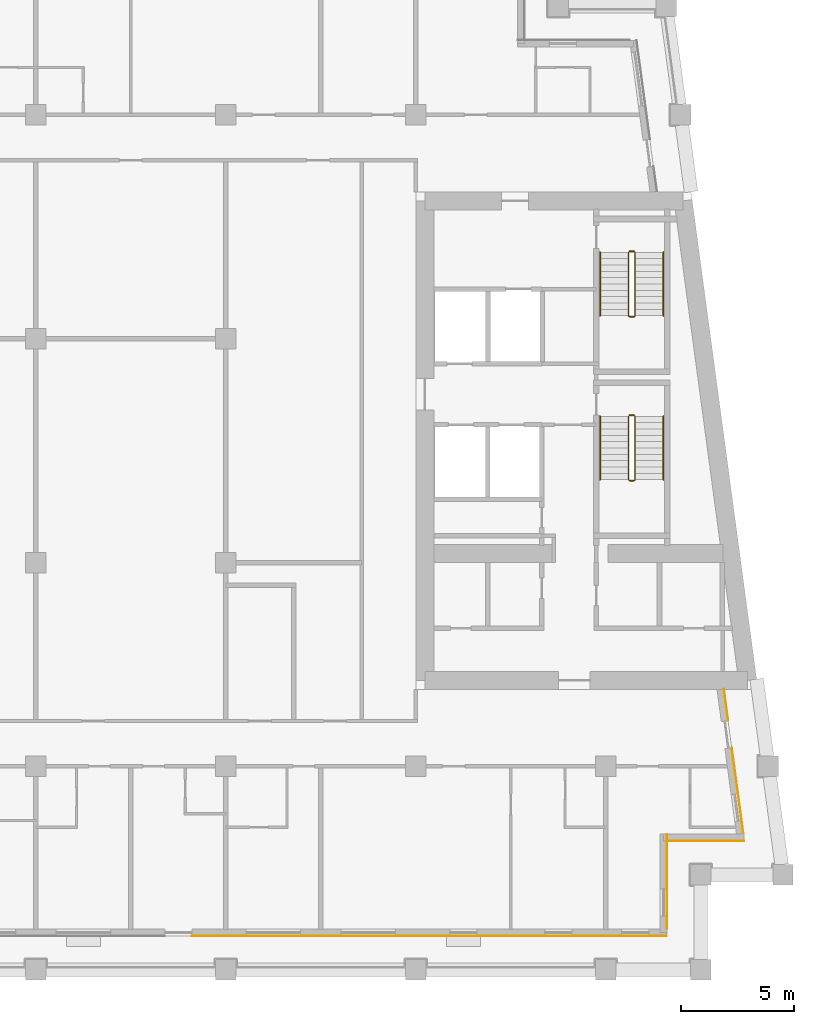
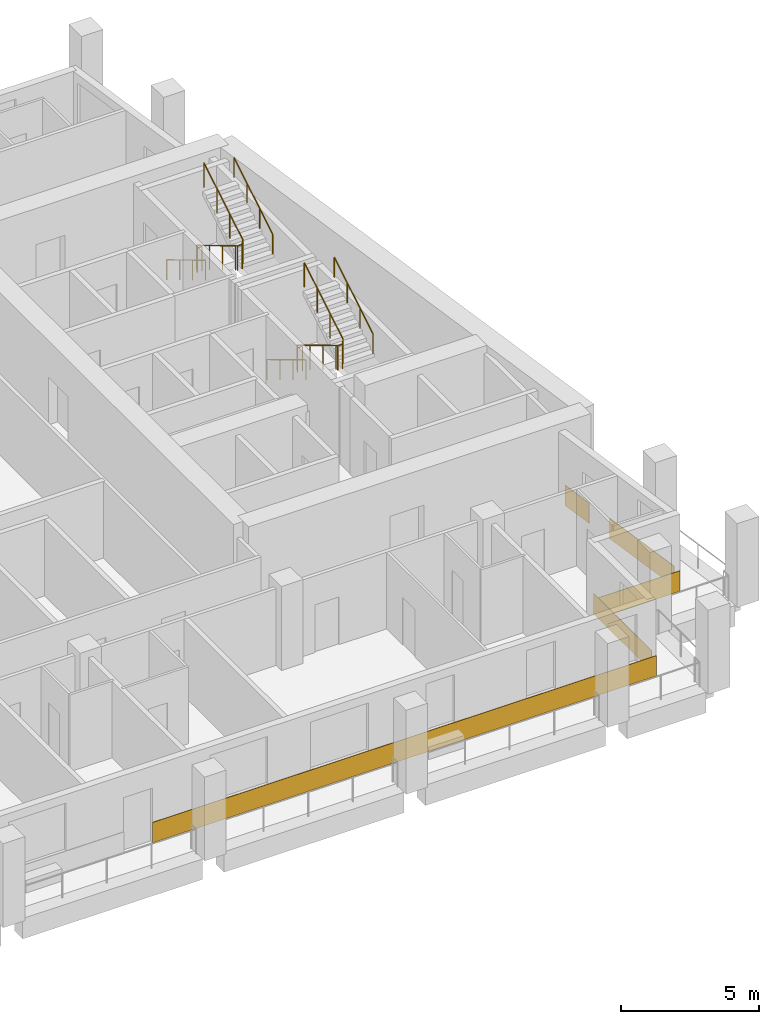
# One storey, part 11 of 13: 8 railings, 5 coverings.
"""IFC4 building model written with IfcOpenShell, lengths in metres."""

from ifc_helpers import new_model, si_unit, direction, frame, origin, origin_2d, place, context, subcontext, project, spatial, rectangle, circle, extrude, material, layer, layer_set, type_object, element, save


model = new_model("IFC4")

# Units and contexts
model_context = context("Model", 3, precision=1e-05, world=origin(), true_north=direction((0.0, 1.0)))
body_context = subcontext(model_context, "Body", "Model", "MODEL_VIEW")
ifc_project = project(units=[si_unit("LENGTHUNIT", "METRE"), si_unit("AREAUNIT", "SQUARE_METRE"), si_unit("VOLUMEUNIT", "CUBIC_METRE"), si_unit("PLANEANGLEUNIT", "RADIAN"), si_unit("MASSUNIT", "GRAM", prefix="KILO")], contexts=[model_context])

# Site, building, storey
site_placement = place(None, origin())
site = spatial("IfcSite", under=ifc_project, at=site_placement, CompositionType="ELEMENT")
building_placement = place(site_placement, origin())
building = spatial("IfcBuilding", under=site, at=building_placement, Name="Candeia Pilgrim Tower and Theatre", CompositionType="ELEMENT")
storey_placement = place(building_placement, frame((0.0, 0.0, 239.199951171875)))
storey = spatial("IfcBuildingStorey", under=building, at=storey_placement, Name="L58", CompositionType="ELEMENT", Elevation=239.199951171875)

# Coverings
ifc_material_1 = material(Name="Glazed ceramic tile bottle green")
ifc_layer_1 = layer(ifc_material_1, 0.02001953125)
ifc_layer_set_1 = layer_set([ifc_layer_1], Name="Glazed ceramic tile bottle green")
covering_type_1 = type_object("IfcCoveringType", Name="Glazed ceramic tile bottle green", PredefinedType="CLADDING", material=ifc_layer_set_1)
covering_1_placement = place(storey_placement, frame((126.60009765625, 99.489990234375, 0.0), z_axis=(0.0, 0.0, 1.0), x_axis=(1.0, 0.0, 0.0)))
element("IfcCovering", 1, at=covering_1_placement, inside=storey, type_object=covering_type_1, Name="Tile cladding bottle green L58", PredefinedType="CLADDING", context=body_context, shape_type="SweptSolid", body=[
    extrude(rectangle(XDim=21.0, YDim=0.02001953125, at=origin_2d()), origin(), (0.0, 0.0, 1.0), 0.89990234375),
])
covering_2_placement = place(storey_placement, frame((138.819580078125, 103.68994140625, 0.0), z_axis=(0.0, 0.0, 1.0), x_axis=(1.0, 0.0, 0.0)))
element("IfcCovering", 2, at=covering_2_placement, inside=storey, type_object=covering_type_1, Name="Tile cladding bottle green L58", PredefinedType="CLADDING", context=body_context, shape_type="SweptSolid", body=[
    extrude(rectangle(XDim=3.399169921875, YDim=0.02001953125, at=origin_2d()), origin(), (0.0, 0.0, 1.0), 0.89990234375),
])
ifc_material_2 = material(Name="Glazed ceramic tile rust")
ifc_layer_2 = layer(ifc_material_2, 0.02001953125)
ifc_layer_set_2 = layer_set([ifc_layer_2], Name="Glazed ceramic tile rust")
covering_type_2 = type_object("IfcCoveringType", Name="Glazed ceramic tile rust", PredefinedType="CLADDING", material=ifc_layer_set_2)
covering_3_placement = place(storey_placement, frame((137.110107421875, 101.909912109375, 0.0), z_axis=(0.0, 0.0, 1.0), x_axis=(0.0, 1.0, 0.0)))
element("IfcCovering", 3, at=covering_3_placement, inside=storey, type_object=covering_type_2, Name="Tile cladding rust L58", PredefinedType="CLADDING", context=body_context, shape_type="SweptSolid", body=[
    extrude(rectangle(XDim=4.179931640625, YDim=0.02001953125, at=origin_2d()), origin(), (0.0, 0.0, 1.0), 0.89990234375),
])
covering_4_placement = place(storey_placement, frame((140.228515625, 105.933349609375, 0.0), z_axis=(0.0, 0.0, 1.0), x_axis=(-0.133412012145, 0.991060661622, 0.0)))
element("IfcCovering", 4, at=covering_4_placement, inside=storey, type_object=covering_type_2, Name="Tile cladding rust L58", PredefinedType="CLADDING", context=body_context, shape_type="SweptSolid", body=[
    extrude(rectangle(XDim=3.821044921875, YDim=0.02001953125, at=origin_2d()), origin(), (0.0, 0.0, 1.0), 0.89990234375),
])
covering_5_placement = place(storey_placement, frame((139.718994140625, 109.71875, 0.0), z_axis=(0.0, 0.0, 1.0), x_axis=(-0.133412012145, 0.991060661622, 0.0)))
element("IfcCovering", 5, at=covering_5_placement, inside=storey, type_object=covering_type_2, Name="Tile cladding rust L58", PredefinedType="CLADDING", context=body_context, shape_type="SweptSolid", body=[
    extrude(rectangle(XDim=1.41796875, YDim=0.02001953125, at=origin_2d()), origin(), (0.0, 0.0, 1.0), 0.89990234375),
])

# Railings
ifc_material_3 = material(Name="Stainless steel balustrade", Category="steel")
railing_type_1 = type_object("IfcRailingType", Name="RL-GUARD-1100", PredefinedType="GUARDRAIL", material=ifc_material_3)
railing_1_placement = place(storey_placement, frame((135.39794921875, 122.47509765625, 0.168212890625)))
element("IfcRailing", 6, at=railing_1_placement, inside=storey, type_object=railing_type_1, Name="L58 ST3 stair guard 1", PredefinedType="GUARDRAIL", context=body_context, shape_type="SweptSolid", body=[
    extrude(circle(Radius=0.02392578125, at=origin_2d()), frame((0.0, 0.0, 1.076171875), z_axis=(0.0, -0.857242210791, 0.514913383045), x_axis=(1.0, 0.0, 0.0)), (0.0, 0.0, 1.0), 3.266357421875),
    extrude(circle(Radius=0.02392578125, at=origin_2d()), frame((0.0, -2.800048828125, 2.7578125), z_axis=(0.707106781187, -0.707106781187, 0.0), x_axis=(0.707106781187, 0.707106781187, 0.0)), (0.0, 0.0, 1.0), 0.07080078125),
    extrude(circle(Radius=0.02392578125, at=origin_2d()), frame((0.050048828125, -2.85009765625, 2.7578125), z_axis=(1.0, 0.0, 0.0), x_axis=(0.0, 1.0, 0.0)), (0.0, 0.0, 1.0), 0.199951171875),
    extrude(circle(Radius=0.02392578125, at=origin_2d()), frame((0.25, -2.85009765625, 2.7578125), z_axis=(0.274243871929, 0.274243871929, 0.92172696468), x_axis=(-0.707106781187, 0.707106781187, 0.0)), (0.0, 0.0, 1.0), 0.1826171875),
    extrude(circle(Radius=0.02392578125, at=origin_2d()), frame((0.300048828125, -2.800048828125, 2.92626953125), z_axis=(0.0, 0.857275202839, 0.514858452973), x_axis=(-1.0, 0.0, 0.0)), (0.0, 0.0, 1.0), 3.26611328125),
    extrude(circle(Radius=0.02099609375, at=origin_2d()), origin(), (0.0, 0.0, 1.0), 1.052001953125),
    extrude(circle(Radius=0.02099609375, at=origin_2d()), frame((0.0, -0.933349609375, 0.560546875)), (0.0, 0.0, 1.0), 1.052001953125),
    extrude(circle(Radius=0.02099609375, at=origin_2d()), frame((0.0, -1.86669921875, 1.121337890625)), (0.0, 0.0, 1.0), 1.052001953125),
    extrude(circle(Radius=0.02099609375, at=origin_2d()), frame((0.0, -2.800048828125, 1.681884765625)), (0.0, 0.0, 1.0), 1.052001953125),
    extrude(circle(Radius=0.02099609375, at=origin_2d()), frame((0.050048828125, -2.85009765625, 1.681884765625)), (0.0, 0.0, 1.0), 1.052001953125),
    extrude(circle(Radius=0.02099609375, at=origin_2d()), frame((0.25, -2.85009765625, 1.681884765625)), (0.0, 0.0, 1.0), 1.052001953125),
    extrude(circle(Radius=0.02099609375, at=origin_2d()), frame((0.300048828125, -2.800048828125, 1.85009765625)), (0.0, 0.0, 1.0), 1.052001953125),
    extrude(circle(Radius=0.02099609375, at=origin_2d()), frame((0.300048828125, -1.86669921875, 2.41064453125)), (0.0, 0.0, 1.0), 1.052001953125),
    extrude(circle(Radius=0.02099609375, at=origin_2d()), frame((0.300048828125, -0.933349609375, 2.97119140625)), (0.0, 0.0, 1.0), 1.052001953125),
    extrude(circle(Radius=0.02099609375, at=origin_2d()), frame((0.300048828125, 0.0, 3.53173828125)), (0.0, 0.0, 1.0), 1.052001953125),
])
railing_2_placement = place(storey_placement, frame((135.447998046875, 122.52490234375, 0.0)))
element("IfcRailing", 7, at=railing_2_placement, inside=storey, type_object=railing_type_1, Name="L58 ST3 stair guard 2", PredefinedType="GUARDRAIL", context=body_context, shape_type="SweptSolid", body=[
    extrude(circle(Radius=0.02392578125, at=origin_2d()), frame((0.0, 0.0, 1.076171875), z_axis=(1.0, 0.0, 0.0), x_axis=(0.0, 1.0, 0.0)), (0.0, 0.0, 1.0), 0.199951171875),
    extrude(circle(Radius=0.02099609375, at=origin_2d()), origin(), (0.0, 0.0, 1.0), 1.052001953125),
    extrude(circle(Radius=0.02099609375, at=origin_2d()), frame((0.199951171875, 0.0, 0.0)), (0.0, 0.0, 1.0), 1.052001953125),
])
railing_3_placement = place(storey_placement, frame((135.39794921875, 129.72509765625, 0.168212890625)))
element("IfcRailing", 8, at=railing_3_placement, inside=storey, type_object=railing_type_1, Name="L58 ST4 stair guard 1", PredefinedType="GUARDRAIL", context=body_context, shape_type="SweptSolid", body=[
    extrude(circle(Radius=0.02392578125, at=origin_2d()), frame((0.0, 0.0, 1.076171875), z_axis=(0.0, -0.857242210791, 0.514913383045), x_axis=(1.0, 0.0, 0.0)), (0.0, 0.0, 1.0), 3.266357421875),
    extrude(circle(Radius=0.02392578125, at=origin_2d()), frame((0.0, -2.800048828125, 2.7578125), z_axis=(0.707106781187, -0.707106781187, 0.0), x_axis=(0.707106781187, 0.707106781187, 0.0)), (0.0, 0.0, 1.0), 0.07080078125),
    extrude(circle(Radius=0.02392578125, at=origin_2d()), frame((0.050048828125, -2.85009765625, 2.7578125), z_axis=(1.0, 0.0, 0.0), x_axis=(0.0, 1.0, 0.0)), (0.0, 0.0, 1.0), 0.199951171875),
    extrude(circle(Radius=0.02392578125, at=origin_2d()), frame((0.25, -2.85009765625, 2.7578125), z_axis=(0.274243871929, 0.274243871929, 0.92172696468), x_axis=(-0.707106781187, 0.707106781187, 0.0)), (0.0, 0.0, 1.0), 0.1826171875),
    extrude(circle(Radius=0.02392578125, at=origin_2d()), frame((0.300048828125, -2.800048828125, 2.92626953125), z_axis=(0.0, 0.857275202839, 0.514858452973), x_axis=(-1.0, 0.0, 0.0)), (0.0, 0.0, 1.0), 3.26611328125),
    extrude(circle(Radius=0.02099609375, at=origin_2d()), origin(), (0.0, 0.0, 1.0), 1.052001953125),
    extrude(circle(Radius=0.02099609375, at=origin_2d()), frame((0.0, -0.933349609375, 0.560546875)), (0.0, 0.0, 1.0), 1.052001953125),
    extrude(circle(Radius=0.02099609375, at=origin_2d()), frame((0.0, -1.86669921875, 1.121337890625)), (0.0, 0.0, 1.0), 1.052001953125),
    extrude(circle(Radius=0.02099609375, at=origin_2d()), frame((0.0, -2.800048828125, 1.681884765625)), (0.0, 0.0, 1.0), 1.052001953125),
    extrude(circle(Radius=0.02099609375, at=origin_2d()), frame((0.050048828125, -2.85009765625, 1.681884765625)), (0.0, 0.0, 1.0), 1.052001953125),
    extrude(circle(Radius=0.02099609375, at=origin_2d()), frame((0.25, -2.85009765625, 1.681884765625)), (0.0, 0.0, 1.0), 1.052001953125),
    extrude(circle(Radius=0.02099609375, at=origin_2d()), frame((0.300048828125, -2.800048828125, 1.85009765625)), (0.0, 0.0, 1.0), 1.052001953125),
    extrude(circle(Radius=0.02099609375, at=origin_2d()), frame((0.300048828125, -1.86669921875, 2.41064453125)), (0.0, 0.0, 1.0), 1.052001953125),
    extrude(circle(Radius=0.02099609375, at=origin_2d()), frame((0.300048828125, -0.933349609375, 2.97119140625)), (0.0, 0.0, 1.0), 1.052001953125),
    extrude(circle(Radius=0.02099609375, at=origin_2d()), frame((0.300048828125, 0.0, 3.53173828125)), (0.0, 0.0, 1.0), 1.052001953125),
])
railing_4_placement = place(storey_placement, frame((135.447998046875, 129.77490234375, 0.0)))
element("IfcRailing", 9, at=railing_4_placement, inside=storey, type_object=railing_type_1, Name="L58 ST4 stair guard 2", PredefinedType="GUARDRAIL", context=body_context, shape_type="SweptSolid", body=[
    extrude(circle(Radius=0.02392578125, at=origin_2d()), frame((0.0, 0.0, 1.076171875), z_axis=(1.0, 0.0, 0.0), x_axis=(0.0, 1.0, 0.0)), (0.0, 0.0, 1.0), 0.199951171875),
    extrude(circle(Radius=0.02099609375, at=origin_2d()), origin(), (0.0, 0.0, 1.0), 1.052001953125),
    extrude(circle(Radius=0.02099609375, at=origin_2d()), frame((0.199951171875, 0.0, 0.0)), (0.0, 0.0, 1.0), 1.052001953125),
])
ifc_material_4 = material(Name="Stainless steel handrail", Category="steel")
railing_type_2 = type_object("IfcRailingType", Name="RL-HANDRAIL-900", PredefinedType="HANDRAIL", material=ifc_material_4)
railing_5_placement = place(storey_placement, frame((134.14794921875, 122.47509765625, 0.168212890625)))
element("IfcRailing", 10, at=railing_5_placement, inside=storey, type_object=railing_type_2, Name="L58 ST3 stair handrail 1", PredefinedType="HANDRAIL", context=body_context, shape_type="SweptSolid", body=[
    extrude(circle(Radius=0.02392578125, at=origin_2d()), frame((0.0, 0.0, 0.8759765625), z_axis=(0.0, -0.857242210791, 0.514913383045), x_axis=(1.0, 0.0, 0.0)), (0.0, 0.0, 1.0), 3.266357421875),
    extrude(circle(Radius=0.02099609375, at=origin_2d()), origin(), (0.0, 0.0, 1.0), 0.851806640625),
    extrude(circle(Radius=0.02099609375, at=origin_2d()), frame((0.0, -0.933349609375, 0.560546875)), (0.0, 0.0, 1.0), 0.851806640625),
    extrude(circle(Radius=0.02099609375, at=origin_2d()), frame((0.0, -1.86669921875, 1.121337890625)), (0.0, 0.0, 1.0), 0.851806640625),
    extrude(circle(Radius=0.02099609375, at=origin_2d()), frame((0.0, -2.800048828125, 1.681884765625)), (0.0, 0.0, 1.0), 0.851806640625),
])
railing_6_placement = place(storey_placement, frame((136.947998046875, 119.675048828125, 2.018310546875)))
element("IfcRailing", 11, at=railing_6_placement, inside=storey, type_object=railing_type_2, Name="L58 ST3 stair handrail 2", PredefinedType="HANDRAIL", context=body_context, shape_type="SweptSolid", body=[
    extrude(circle(Radius=0.02392578125, at=origin_2d()), frame((0.0, 0.0, 0.8759765625), z_axis=(0.0, 0.857275202839, 0.514858452973), x_axis=(-1.0, 0.0, 0.0)), (0.0, 0.0, 1.0), 3.26611328125),
    extrude(circle(Radius=0.02099609375, at=origin_2d()), origin(), (0.0, 0.0, 1.0), 0.851806640625),
    extrude(circle(Radius=0.02099609375, at=origin_2d()), frame((0.0, 0.933349609375, 0.560546875)), (0.0, 0.0, 1.0), 0.851806640625),
    extrude(circle(Radius=0.02099609375, at=origin_2d()), frame((0.0, 1.86669921875, 1.12109375)), (0.0, 0.0, 1.0), 0.851806640625),
    extrude(circle(Radius=0.02099609375, at=origin_2d()), frame((0.0, 2.800048828125, 1.681640625)), (0.0, 0.0, 1.0), 0.851806640625),
])
railing_7_placement = place(storey_placement, frame((134.14794921875, 129.72509765625, 0.168212890625)))
element("IfcRailing", 12, at=railing_7_placement, inside=storey, type_object=railing_type_2, Name="L58 ST4 stair handrail 1", PredefinedType="HANDRAIL", context=body_context, shape_type="SweptSolid", body=[
    extrude(circle(Radius=0.02392578125, at=origin_2d()), frame((0.0, 0.0, 0.8759765625), z_axis=(0.0, -0.857242210791, 0.514913383045), x_axis=(1.0, 0.0, 0.0)), (0.0, 0.0, 1.0), 3.266357421875),
    extrude(circle(Radius=0.02099609375, at=origin_2d()), origin(), (0.0, 0.0, 1.0), 0.851806640625),
    extrude(circle(Radius=0.02099609375, at=origin_2d()), frame((0.0, -0.933349609375, 0.560546875)), (0.0, 0.0, 1.0), 0.851806640625),
    extrude(circle(Radius=0.02099609375, at=origin_2d()), frame((0.0, -1.86669921875, 1.121337890625)), (0.0, 0.0, 1.0), 0.851806640625),
    extrude(circle(Radius=0.02099609375, at=origin_2d()), frame((0.0, -2.800048828125, 1.681884765625)), (0.0, 0.0, 1.0), 0.851806640625),
])
railing_8_placement = place(storey_placement, frame((136.947998046875, 126.925048828125, 2.018310546875)))
element("IfcRailing", 13, at=railing_8_placement, inside=storey, type_object=railing_type_2, Name="L58 ST4 stair handrail 2", PredefinedType="HANDRAIL", context=body_context, shape_type="SweptSolid", body=[
    extrude(circle(Radius=0.02392578125, at=origin_2d()), frame((0.0, 0.0, 0.8759765625), z_axis=(0.0, 0.857275202839, 0.514858452973), x_axis=(-1.0, 0.0, 0.0)), (0.0, 0.0, 1.0), 3.26611328125),
    extrude(circle(Radius=0.02099609375, at=origin_2d()), origin(), (0.0, 0.0, 1.0), 0.851806640625),
    extrude(circle(Radius=0.02099609375, at=origin_2d()), frame((0.0, 0.933349609375, 0.560546875)), (0.0, 0.0, 1.0), 0.851806640625),
    extrude(circle(Radius=0.02099609375, at=origin_2d()), frame((0.0, 1.86669921875, 1.12109375)), (0.0, 0.0, 1.0), 0.851806640625),
    extrude(circle(Radius=0.02099609375, at=origin_2d()), frame((0.0, 2.800048828125, 1.681640625)), (0.0, 0.0, 1.0), 0.851806640625),
])

save(model, "model.ifc")
